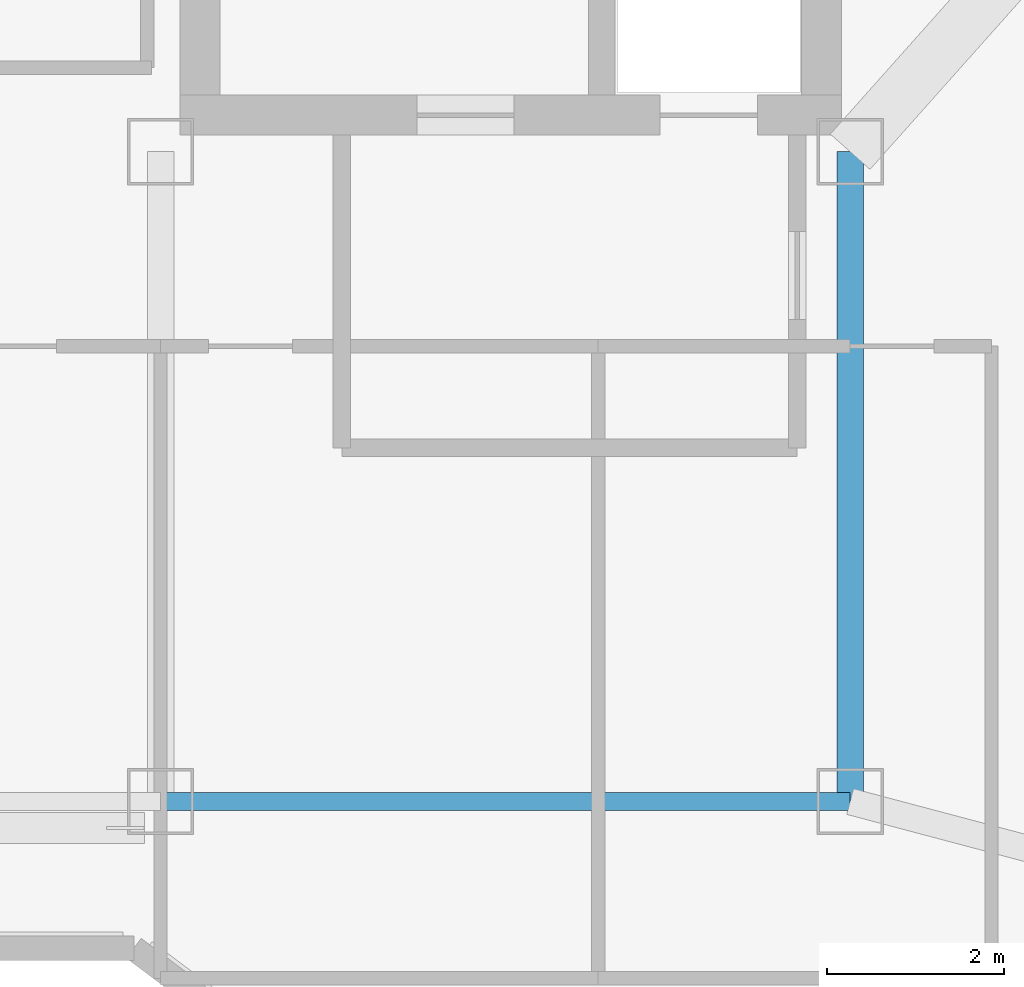
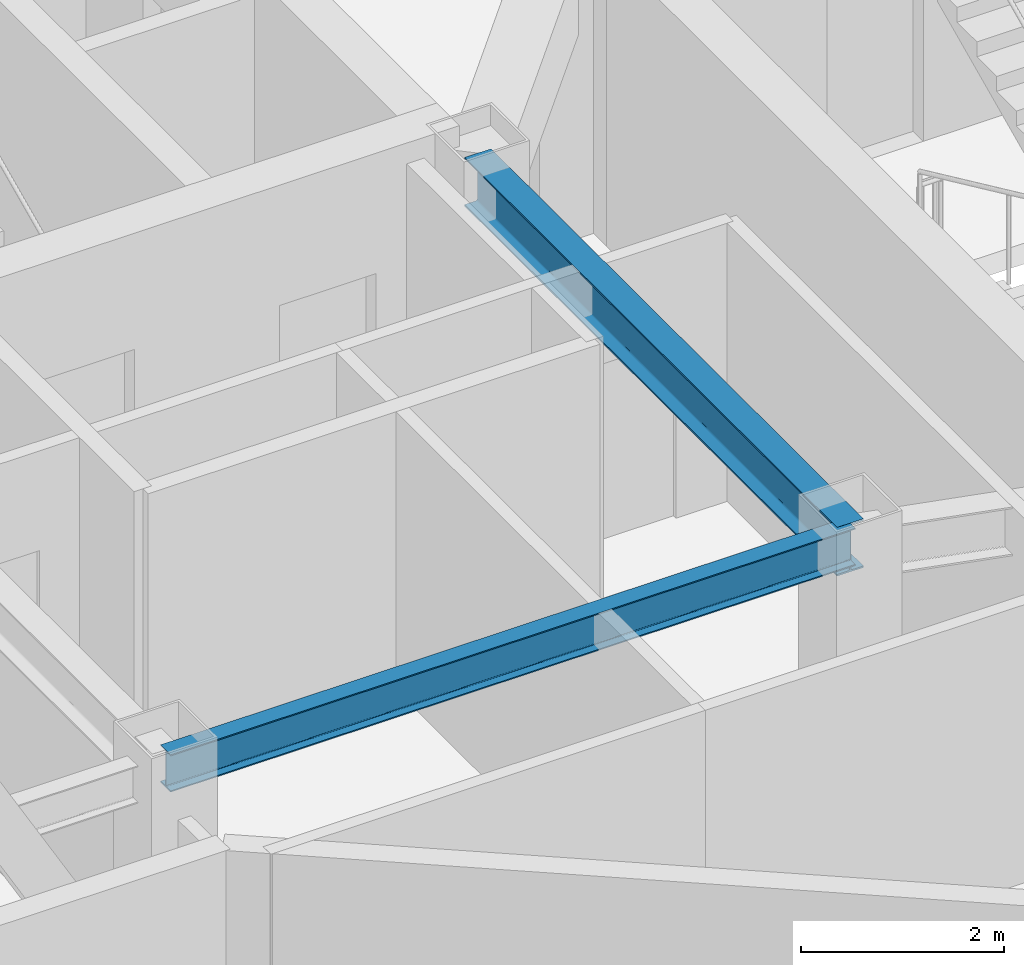
# One storey, part 5 of 24: 2 beams.
"""IFC4 building model written with IfcOpenShell, lengths in metres."""

from ifc_helpers import new_model, si_unit, direction, frame, origin, origin_2d, place, context, subcontext, project, spatial, i_section, extrude, material, material_profile, profile_set, type_object, element, save


model = new_model("IFC4")

# Units and contexts
model_context = context("Model", 3, precision=1e-05, world=origin(), true_north=direction((0.0, 1.0)))
body_context = subcontext(model_context, "Body", "Model", "MODEL_VIEW")
ifc_project = project(units=[si_unit("LENGTHUNIT", "METRE"), si_unit("AREAUNIT", "SQUARE_METRE"), si_unit("VOLUMEUNIT", "CUBIC_METRE"), si_unit("PLANEANGLEUNIT", "RADIAN"), si_unit("MASSUNIT", "GRAM", prefix="KILO")], contexts=[model_context])

# Site, building, storey
site_placement = place(None, origin())
site = spatial("IfcSite", under=ifc_project, at=site_placement, CompositionType="ELEMENT")
building_placement = place(site_placement, origin())
building = spatial("IfcBuilding", under=site, at=building_placement, Name="Hatsunagi Terrace Concourse", CompositionType="ELEMENT")
storey_placement = place(building_placement, frame((0.0, 0.0, 213.14990234375)))
storey = spatial("IfcBuildingStorey", under=building, at=storey_placement, Name="L56", CompositionType="ELEMENT", Elevation=213.14990234375)

# Beams
ifc_material_1 = material(Name="Steel SN490B", Category="steel")
ifc_material_profile_1 = material_profile(ifc_material_1, i_section(OverallWidth=0.300048828125, OverallDepth=0.587890625, WebThickness=0.011962890625, FlangeThickness=0.02001953125, FilletRadius=0.01806640625, at=origin_2d()), Name="H-588x300x12x20")
ifc_profile_set_1 = profile_set([ifc_material_profile_1], Name="Steel SN490B")
beam_type_1 = type_object("IfcBeamType", Name="OfficeHighGirder_H_588x300", PredefinedType="BEAM", material=ifc_profile_set_1)
beam_1_placement = place(storey_placement, frame((33.35009765625, 25.199951171875, 3.05615234375), z_axis=(0.0, 1.0, 0.0), x_axis=(-1.0, 0.0, 0.0)))
element("IfcBeam", 1, at=beam_1_placement, inside=storey, type_object=beam_type_1, Name="Beam G-06 BM-L56-K2CA", PredefinedType="BEAM", context=body_context, shape_type="SweptSolid", body=[
    extrude(i_section(OverallWidth=0.300048828125, OverallDepth=0.587890625, WebThickness=0.011962890625, FlangeThickness=0.02001953125, FilletRadius=0.01806640625, at=origin_2d()), origin(), (0.0, 0.0, 1.0), 7.35009765625),
])
ifc_material_2 = material(Name="Steel SN490B", Category="steel")
ifc_material_profile_2 = material_profile(ifc_material_2, i_section(OverallWidth=0.199951171875, OverallDepth=0.449951171875, WebThickness=0.009033203125, FlangeThickness=0.013916015625, FilletRadius=0.01611328125, at=origin_2d()), Name="H-450x200x9x14")
ifc_profile_set_2 = profile_set([ifc_material_profile_2], Name="Steel SN490B")
beam_type_2 = type_object("IfcBeamType", Name="PerimeterSpandrel_H_450x200", PredefinedType="SPANDREL", material=ifc_profile_set_2)
beam_2_placement = place(storey_placement, frame((25.550048828125, 25.199951171875, 3.125), z_axis=(1.0, 0.0, 0.0), x_axis=(0.0, 1.0, 0.0)))
element("IfcBeam", 2, at=beam_2_placement, inside=storey, type_object=beam_type_2, Name="Beam SP-02 BM-L56-WS-25", PredefinedType="SPANDREL", context=body_context, shape_type="SweptSolid", body=[
    extrude(i_section(OverallWidth=0.199951171875, OverallDepth=0.449951171875, WebThickness=0.009033203125, FlangeThickness=0.013916015625, FilletRadius=0.01611328125, at=origin_2d()), origin(), (0.0, 0.0, 1.0), 7.800048828125),
])

save(model, "model.ifc")
